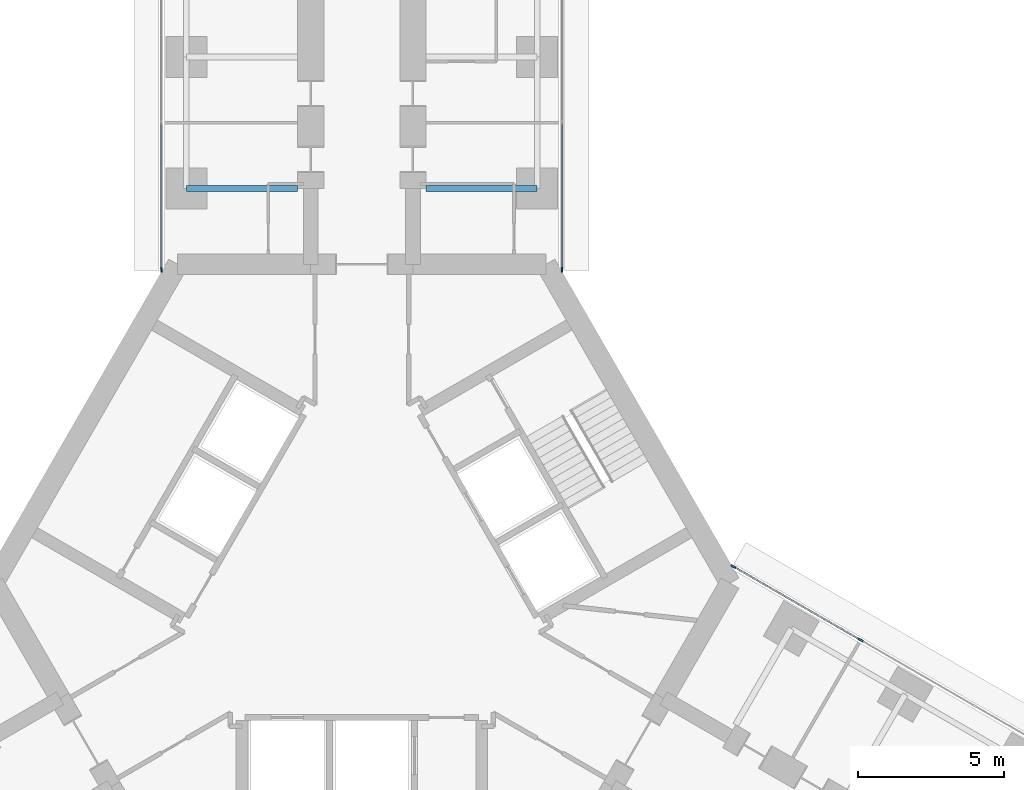
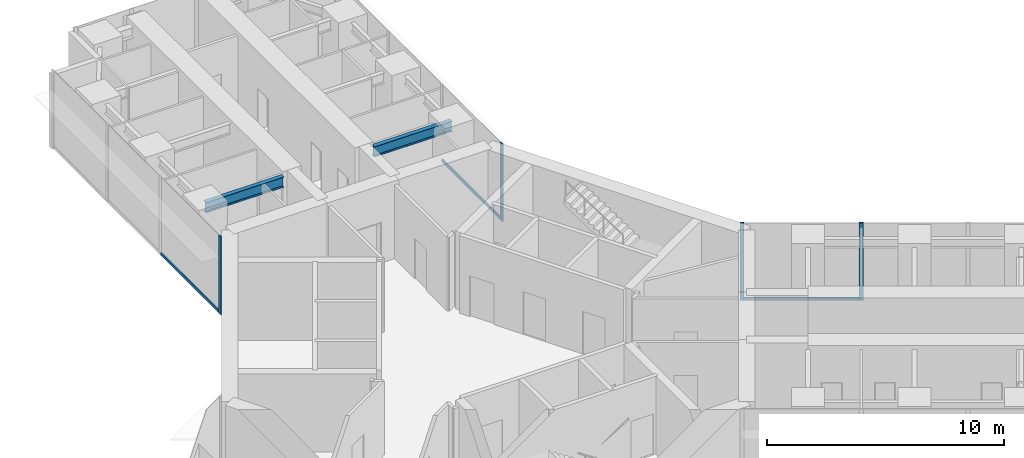
# One storey, part 11 of 25: 7 members, 2 beams, 3 elements without a shape of their own.
"""IFC4 building model written with IfcOpenShell, lengths in metres."""

from ifc_helpers import new_model, si_unit, direction, frame, origin, origin_2d, place, context, subcontext, project, spatial, rectangle, i_section, extrude, material, material_profile, profile_set, type_object, element, aggregate, save


model = new_model("IFC4")

# Units and contexts
model_context = context("Model", 3, precision=1e-05, world=origin(), true_north=direction((0.0, 1.0)))
body_context = subcontext(model_context, "Body", "Model", "MODEL_VIEW")
ifc_project = project(units=[si_unit("LENGTHUNIT", "METRE"), si_unit("AREAUNIT", "SQUARE_METRE"), si_unit("VOLUMEUNIT", "CUBIC_METRE"), si_unit("PLANEANGLEUNIT", "RADIAN"), si_unit("MASSUNIT", "GRAM", prefix="KILO")], contexts=[model_context])

# Site, building, storey
site_placement = place(None, origin())
site = spatial("IfcSite", under=ifc_project, at=site_placement, CompositionType="ELEMENT")
building_placement = place(site_placement, origin())
building = spatial("IfcBuilding", under=site, at=building_placement, Name="Upepo Twin Towers", CompositionType="ELEMENT")
storey_placement = place(building_placement, frame((0.0, 0.0, 80.5)))
storey = spatial("IfcBuildingStorey", under=building, at=storey_placement, Name="L19", CompositionType="ELEMENT", Elevation=80.5)

# Beams
ifc_material_1 = material(Name="Steel S355", Category="steel")
ifc_material_profile_1 = material_profile(ifc_material_1, i_section(OverallWidth=0.209228515625, OverallDepth=0.533203125, WebThickness=0.010009765625, FlangeThickness=0.015625, FilletRadius=0.0126953125, at=origin_2d()), Name="UB 533x210x92")
ifc_profile_set_1 = profile_set([ifc_material_profile_1], Name="Steel S355")
beam_type = type_object("IfcBeamType", Name="Beam UB 533x210x92", PredefinedType="BEAM", material=ifc_profile_set_1)
for number, where, z_axis, x_axis, name in (
    (1, (52.5, -4.5, 3.533447265625), (1.0, 0.0, 0.0), (0.0, 1.0, 0.0), "T2 girder AL at 13.5"),
    (2, (64.5, -4.5, 3.533447265625), (-1.0, 0.0, 0.0), (0.0, -1.0, 0.0), "T2 girder AR at 13.5"),
):
    element("IfcBeam", number, at=place(storey_placement, frame(where, z_axis=z_axis, x_axis=x_axis)), inside=storey, type_object=beam_type, Name=name, PredefinedType="BEAM", context=body_context, shape_type="SweptSolid", body=[
        extrude(i_section(OverallWidth=0.209228515625, OverallDepth=0.533203125, WebThickness=0.010009765625, FlangeThickness=0.015625, FilletRadius=0.0126953125, at=origin_2d()), origin(), (0.0, 0.0, 1.0), 3.800048828125),
    ])

# Curtain wall, member
ifc_material_2 = material(Name="Aluminium and fritted glass", Category="aluminium")
curtain_wall_type = type_object("IfcCurtainWallType", Name="Tower curtain wall TW1, fritted glass", PredefinedType="NOTDEFINED", material=ifc_material_2)
curtain_wall_1_placement = place(storey_placement, origin())
curtain_wall_1 = element("IfcCurtainWall", 3, at=curtain_wall_1_placement, inside=storey, type_object=curtain_wall_type, Name="T2 L19 wing A flank L curtain wall", PredefinedType="NOTDEFINED")
ifc_material_3 = material(Name="Aluminium mullion", Category="aluminium")
ifc_material_profile_2 = material_profile(ifc_material_3, rectangle(XDim=0.06494140625, YDim=0.179931640625, at=origin_2d()), Name="MULLION 65x180")
ifc_profile_set_2 = profile_set([ifc_material_profile_2], Name="Aluminium mullion")
member_type_1 = type_object("IfcMemberType", Name="Mullion 65x180 TW1", PredefinedType="MULLION", material=ifc_profile_set_2)
member_1_placement = place(storey_placement, frame((51.64990234375, -7.2802734375, 0.0), z_axis=(0.0, 0.0, 1.0), x_axis=(-1.0, 0.0, 0.0)))
member_1 = element("IfcMember", 4, at=member_1_placement, type_object=member_type_1, Name="T2 L19 wing A flank L curtain wall mullion 1", PredefinedType="MULLION", context=body_context, shape_type="SweptSolid", body=[
    extrude(rectangle(XDim=0.06494140625, YDim=0.179931640625, at=origin_2d()), origin(), (0.0, 0.0, 1.0), 4.0),
])

curtain_wall_2_placement = place(storey_placement, origin())
curtain_wall_2 = element("IfcCurtainWall", 5, at=curtain_wall_2_placement, inside=storey, type_object=curtain_wall_type, Name="T2 L19 wing A flank R curtain wall", PredefinedType="NOTDEFINED")
member_2_placement = place(storey_placement, frame((65.35009765625, -7.2802734375, 0.0), z_axis=(0.0, 0.0, 1.0), x_axis=(1.0, 0.0, 0.0)))
member_2 = element("IfcMember", 6, at=member_2_placement, type_object=member_type_1, Name="T2 L19 wing A flank R curtain wall mullion 4", PredefinedType="MULLION", context=body_context, shape_type="SweptSolid", body=[
    extrude(rectangle(XDim=0.06494140625, YDim=0.179931640625, at=origin_2d()), origin(), (0.0, 0.0, 1.0), 4.0),
])

# Curtain wall, members
curtain_wall_3_placement = place(storey_placement, origin())
curtain_wall_3 = element("IfcCurtainWall", 7, at=curtain_wall_3_placement, inside=storey, type_object=curtain_wall_type, Name="T2 L19 wing C flank L curtain wall", PredefinedType="NOTDEFINED")
member_3_placement = place(storey_placement, frame((71.20849609375, -17.427490234375, 0.0), z_axis=(0.0, 0.0, 1.0), x_axis=(0.500000024426, 0.866025389682, 0.0)))
member_3 = element("IfcMember", 8, at=member_3_placement, type_object=member_type_1, Name="T2 L19 wing C flank L curtain wall mullion 1", PredefinedType="MULLION", context=body_context, shape_type="SweptSolid", body=[
    extrude(rectangle(XDim=0.06494140625, YDim=0.179931640625, at=origin_2d()), origin(), (0.0, 0.0, 1.0), 4.0),
])
member_4_placement = place(storey_placement, frame((75.56494140625, -19.942626953125, 0.0), z_axis=(0.0, 0.0, 1.0), x_axis=(0.500000024426, 0.866025389682, 0.0)))
member_4 = element("IfcMember", 9, at=member_4_placement, type_object=member_type_1, Name="T2 L19 wing C flank L curtain wall mullion 2", PredefinedType="MULLION", context=body_context, shape_type="SweptSolid", body=[
    extrude(rectangle(XDim=0.06494140625, YDim=0.179931640625, at=origin_2d()), origin(), (0.0, 0.0, 1.0), 4.0),
])

# Member
ifc_material_4 = material(Name="Aluminium transom", Category="aluminium")
ifc_material_profile_3 = material_profile(ifc_material_4, rectangle(XDim=0.06494140625, YDim=0.14990234375, at=origin_2d()), Name="TRANSOM 65x150")
ifc_profile_set_3 = profile_set([ifc_material_profile_3], Name="Aluminium transom")
member_type_2 = type_object("IfcMemberType", Name="Transom 65x150 TW1", PredefinedType="USERDEFINED", material=ifc_profile_set_3)
member_5_placement = place(storey_placement, frame((51.64990234375, -7.247802734375, 0.074951171875), z_axis=(0.0, 1.0, 0.0), x_axis=(-1.0, 0.0, 0.0)))
member_5 = element("IfcMember", 10, at=member_5_placement, type_object=member_type_2, Name="T2 L19 wing A flank L curtain wall transom 1", ObjectType="TRANSOM", PredefinedType="USERDEFINED", context=body_context, shape_type="SweptSolid", body=[
    extrude(rectangle(XDim=0.06494140625, YDim=0.14990234375, at=origin_2d()), origin(), (0.0, 0.0, 1.0), 4.96533203125),
])

aggregate(curtain_wall_1, [member_1, member_5])

member_6_placement = place(storey_placement, frame((65.35009765625, -2.282470703125, 0.074951171875), z_axis=(0.0, -1.0, 0.0), x_axis=(1.0, 0.0, 0.0)))
member_6 = element("IfcMember", 11, at=member_6_placement, type_object=member_type_2, Name="T2 L19 wing A flank R curtain wall transom 3", ObjectType="TRANSOM", PredefinedType="USERDEFINED", context=body_context, shape_type="SweptSolid", body=[
    extrude(rectangle(XDim=0.06494140625, YDim=0.14990234375, at=origin_2d()), origin(), (0.0, 0.0, 1.0), 4.96533203125),
])

aggregate(curtain_wall_2, [member_2, member_6])

member_7_placement = place(storey_placement, frame((71.236572265625, -17.44384765625, 0.074951171875), z_axis=(0.866034933967, -0.499983492876, 0.0), x_axis=(0.499983492876, 0.866034933967, 0.0)))
member_7 = element("IfcMember", 12, at=member_7_placement, type_object=member_type_2, Name="T2 L19 wing C flank L curtain wall transom 1", ObjectType="TRANSOM", PredefinedType="USERDEFINED", context=body_context, shape_type="SweptSolid", body=[
    extrude(rectangle(XDim=0.06494140625, YDim=0.14990234375, at=origin_2d()), origin(), (0.0, 0.0, 1.0), 4.965576171875),
])

aggregate(curtain_wall_3, [member_3, member_4, member_7])

save(model, "model.ifc")
